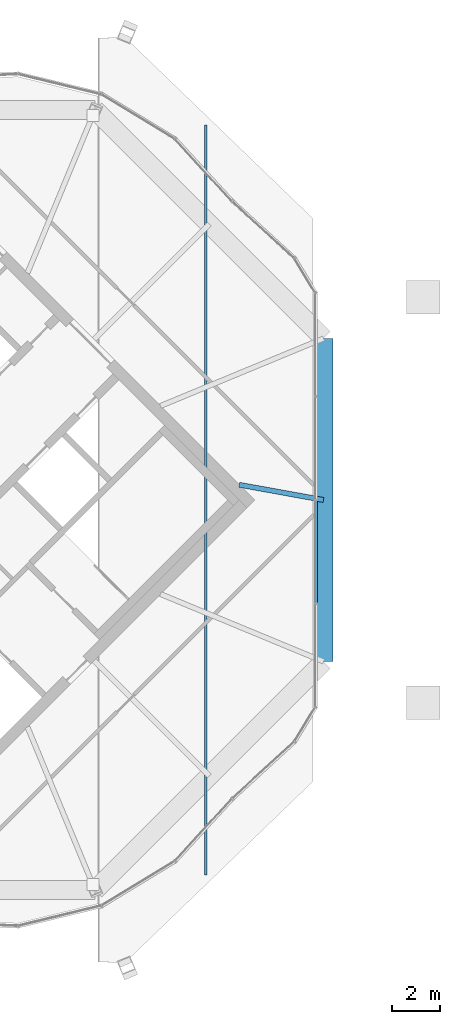
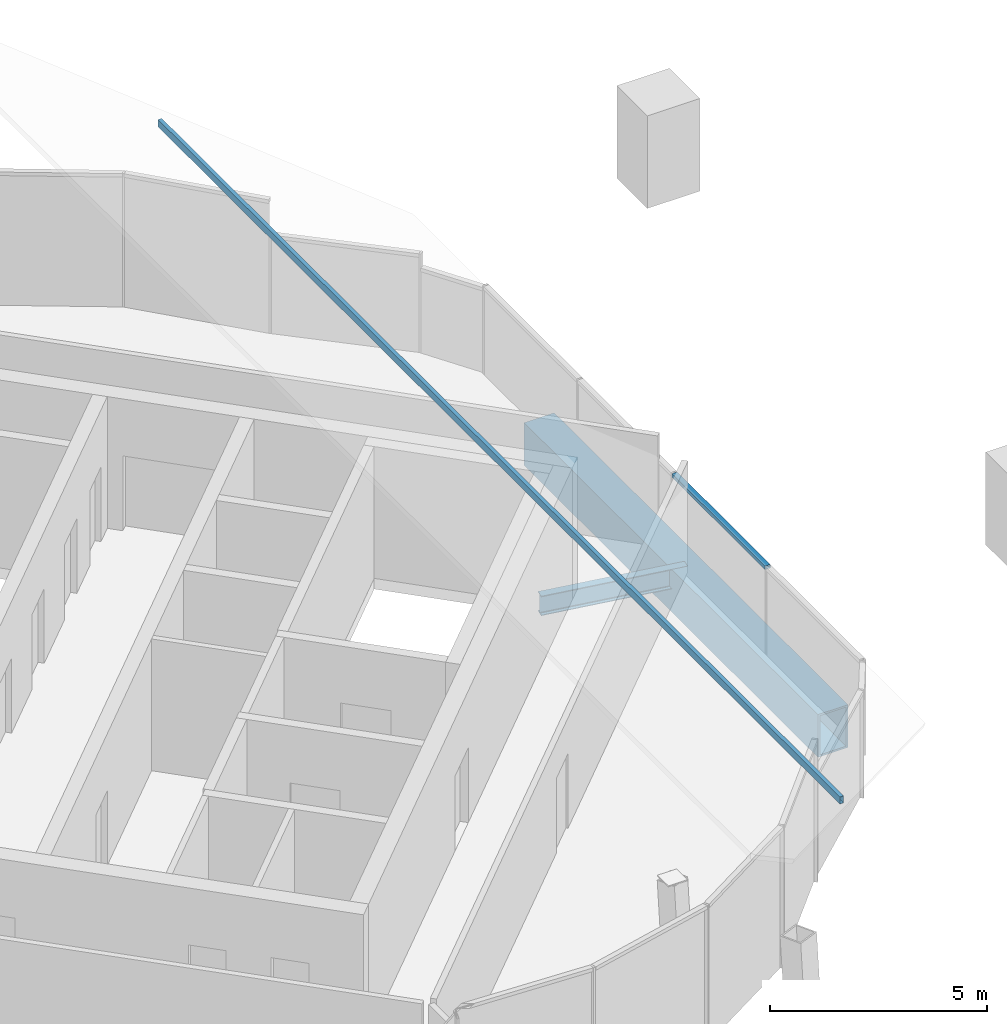
# One storey, part 14 of 23: 2 beams, 2 members, 1 element without a shape of its own.
"""IFC4 building model written with IfcOpenShell, lengths in metres."""

from ifc_helpers import new_model, si_unit, direction, frame, origin, origin_2d, place, context, subcontext, project, spatial, rectangle, hollow_rectangle, i_section, extrude, material, material_profile, profile_set, type_object, element, aggregate, save


model = new_model("IFC4")

# Units and contexts
model_context = context("Model", 3, precision=1e-05, world=origin(), true_north=direction((0.0, 1.0)))
body_context = subcontext(model_context, "Body", "Model", "MODEL_VIEW")
ifc_project = project(units=[si_unit("LENGTHUNIT", "METRE"), si_unit("AREAUNIT", "SQUARE_METRE"), si_unit("VOLUMEUNIT", "CUBIC_METRE"), si_unit("PLANEANGLEUNIT", "RADIAN"), si_unit("MASSUNIT", "GRAM", prefix="KILO")], contexts=[model_context])

# Site, building, storey
site_placement = place(None, origin())
site = spatial("IfcSite", under=ifc_project, at=site_placement, CompositionType="ELEMENT")
building_placement = place(site_placement, origin())
building = spatial("IfcBuilding", under=site, at=building_placement, Name="Ogive Gate Towers", CompositionType="ELEMENT")
storey_placement = place(building_placement, frame((0.0, 0.0, 302.0)))
storey = spatial("IfcBuildingStorey", under=building, at=storey_placement, Name="L71", CompositionType="ELEMENT", Elevation=302.0)

# Curtain wall, member
ifc_material_1 = material(Name="Pale metal aluminium", Category="aluminium")
curtain_wall_type = type_object("IfcCurtainWallType", Name="Crown lean wall", PredefinedType="NOTDEFINED", material=ifc_material_1)
curtain_wall_placement = place(storey_placement, origin())
curtain_wall = element("IfcCurtainWall", 1, at=curtain_wall_placement, inside=storey, type_object=curtain_wall_type, Name="CW5 T2 ECW08b", PredefinedType="NOTDEFINED")
ifc_material_profile_1 = material_profile(ifc_material_1, rectangle(XDim=0.139892578125, YDim=0.10009765625, at=origin_2d()), Name="100 x 140 aluminium box")
ifc_profile_set_1 = profile_set([ifc_material_profile_1], Name="Pale metal aluminium")
member_type_1 = type_object("IfcMemberType", Name="Crown lean wall transom 100 x 140", PredefinedType="USERDEFINED", material=ifc_profile_set_1)
member_1_placement = place(storey_placement, frame((52.00048828125, -0.02490234375, 2.330078125), z_axis=(0.0, -1.0, 0.0), x_axis=(1.0, 0.0, 0.0)))
member_1 = element("IfcMember", 2, at=member_1_placement, type_object=member_type_1, Name="CW5 transom", ObjectType="TRANSOM", PredefinedType="USERDEFINED", context=body_context, shape_type="SweptSolid", body=[
    extrude(rectangle(XDim=0.139892578125, YDim=0.10009765625, at=origin_2d()), origin(), (0.0, 0.0, 1.0), 4.283935546875),
])
aggregate(curtain_wall, [member_1])

# Member
ifc_material_2 = material(Name="Steel SM460", Category="steel")
ifc_material_profile_2 = material_profile(ifc_material_2, hollow_rectangle(XDim=0.10009765625, YDim=0.199951171875, WallThickness=0.008056640625, at=origin_2d()), Name="RHS 200x100x8")
ifc_profile_set_2 = profile_set([ifc_material_profile_2], Name="Steel SM460")
member_type_2 = type_object("IfcMemberType", Name="Crown roof purlin RHS 200 x 100", PredefinedType="PURLIN", material=ifc_profile_set_2)
member_2_placement = place(storey_placement, frame((47.39990234375, 15.681884765625, 4.300048828125), z_axis=(0.0, -1.0, 0.0), x_axis=(1.0, 0.0, 0.0)))
element("IfcMember", 3, at=member_2_placement, inside=storey, type_object=member_type_2, Name="Crown roof purlin", PredefinedType="PURLIN", context=body_context, shape_type="SweptSolid", body=[
    extrude(hollow_rectangle(XDim=0.10009765625, YDim=0.199951171875, WallThickness=0.008056640625, at=origin_2d()), origin(), (0.0, 0.0, 1.0), 31.36376953125),
])

# Beams
ifc_material_profile_3 = material_profile(ifc_material_2, hollow_rectangle(XDim=0.800048828125, YDim=1.199951171875, WallThickness=0.050048828125, at=origin_2d()), Name="BX 1200x800x50")
ifc_profile_set_3 = profile_set([ifc_material_profile_3], Name="Steel SM460")
beam_type_1 = type_object("IfcBeamType", Name="Edge girder BX 1200x800x50", PredefinedType="BEAM", material=ifc_profile_set_3)
beam_1_placement = place(storey_placement, frame((52.3203125, -6.760009765625, -0.89990234375), z_axis=(0.0, 1.0, 0.0), x_axis=(-1.0, 0.0, 0.0)))
element("IfcBeam", 4, at=beam_1_placement, inside=storey, type_object=beam_type_1, Name="T2/L71/SBM020", PredefinedType="BEAM", context=body_context, shape_type="SweptSolid", body=[
    extrude(hollow_rectangle(XDim=0.800048828125, YDim=1.199951171875, WallThickness=0.050048828125, at=origin_2d()), origin(), (0.0, 0.0, 1.0), 13.52001953125),
])
ifc_material_3 = material(Name="Steel SM355", Category="steel")
ifc_material_profile_4 = material_profile(ifc_material_3, i_section(OverallWidth=0.2099609375, OverallDepth=0.550048828125, WebThickness=0.010986328125, FlangeThickness=0.01708984375, FilletRadius=0.02392578125, at=origin_2d()), Name="IPE 550")
ifc_profile_set_4 = profile_set([ifc_material_profile_4], Name="Steel SM355")
beam_type_2 = type_object("IfcBeamType", Name="Radial floor beam IPE 550", PredefinedType="BEAM", material=ifc_profile_set_4)
beam_2_placement = place(storey_placement, frame((48.798583984375, 0.636474609375, -0.574951171875), z_axis=(0.984058191972, -0.177846773412, 0.0), x_axis=(0.177846773412, 0.984058191972, 0.0)))
element("IfcBeam", 5, at=beam_2_placement, inside=storey, type_object=beam_type_2, Name="T2/L71/SBM008", PredefinedType="BEAM", context=body_context, shape_type="SweptSolid", body=[
    extrude(i_section(OverallWidth=0.2099609375, OverallDepth=0.550048828125, WebThickness=0.010986328125, FlangeThickness=0.01708984375, FilletRadius=0.02392578125, at=origin_2d()), origin(), (0.0, 0.0, 1.0), 3.578857421875),
])

save(model, "model.ifc")
